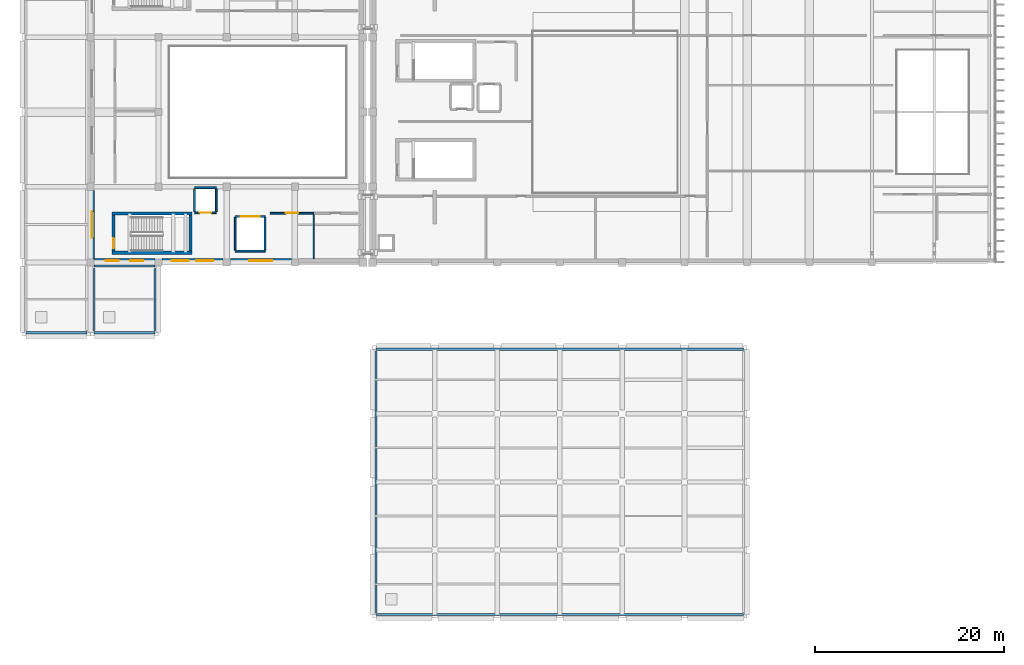
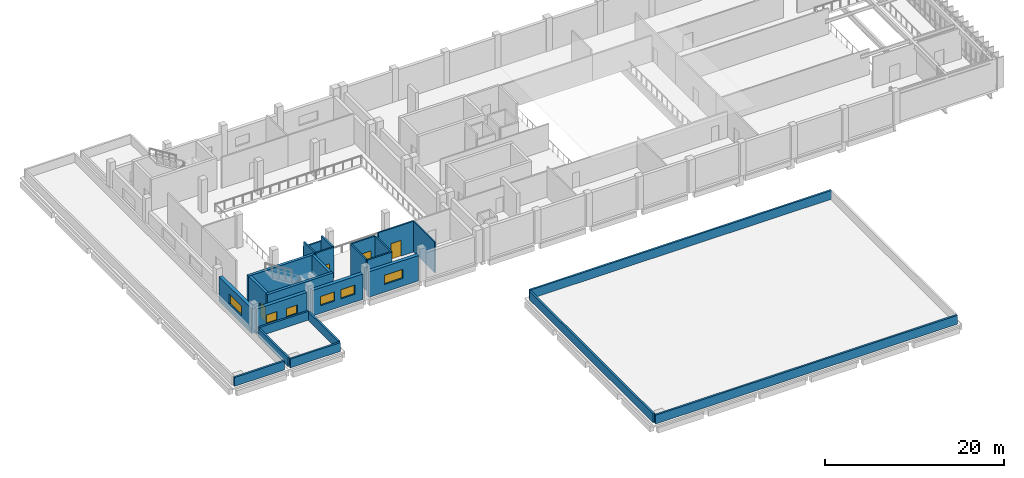
# One storey, part 13 of 23: 26 walls, 6 windows, 4 doors, 10 openings.
"""IFC4 building model written with IfcOpenShell, lengths in metres."""

from ifc_helpers import new_model, si_unit, direction, frame, frame_2d, origin, place, context, subcontext, project, spatial, rectangle, extrude, material, layer, layer_set, type_object, element, fill, save


model = new_model("IFC4")

# Units and contexts
model_context = context("Model", 3, precision=1e-05, world=origin(), true_north=direction((0.0, 1.0)))
body_context = subcontext(model_context, "Body", "Model", "MODEL_VIEW")
ifc_project = project(units=[si_unit("LENGTHUNIT", "METRE"), si_unit("AREAUNIT", "SQUARE_METRE"), si_unit("VOLUMEUNIT", "CUBIC_METRE"), si_unit("PLANEANGLEUNIT", "RADIAN"), si_unit("MASSUNIT", "GRAM", prefix="KILO")], contexts=[model_context])

# Site, building, storey
site_placement = place(None, origin())
site = spatial("IfcSite", under=ifc_project, at=site_placement, CompositionType="ELEMENT")
building_placement = place(site_placement, origin())
building = spatial("IfcBuilding", under=site, at=building_placement, Name="Kelarvand Opera House", CompositionType="ELEMENT")
storey_placement = place(building_placement, frame((0.0, 0.0, 19.5)))
storey = spatial("IfcBuildingStorey", under=building, at=storey_placement, Name="L04", CompositionType="ELEMENT", Elevation=19.5)

# Walls
ifc_material_1 = material(Name="Acoustic double-stud gypsum partition")
ifc_layer_1 = layer(ifc_material_1, 0.14990234375, Name="Acoustic double-stud gypsum partition")
ifc_layer_set_1 = layer_set([ifc_layer_1], Name="Acoustic double-stud gypsum partition")
wall_type_1 = type_object("IfcWallType", Name="Acoustic Room Partition Wall 150", PredefinedType="PARTITIONING", material=ifc_layer_set_1)
wall_1_placement = place(storey_placement, frame((82.800048828125, 47.0, 0.0), z_axis=(0.0, 0.0, 1.0), x_axis=(0.0, 1.0, 0.0)))
element("IfcWall", 1, at=wall_1_placement, inside=storey, type_object=wall_type_1, Name="V2 L04 Partition Wall IW-150 (656)", PredefinedType="PARTITIONING", context=body_context, shape_type="SweptSolid", body=[
    extrude(rectangle(XDim=4.659912109375, YDim=0.14990234375, at=frame_2d((2.330078125, 0.0))), origin(), (0.0, 0.0, 1.0), 4.19189453125),
])
ifc_material_2 = material(Name="Concrete C35/45", Category="concrete")
ifc_layer_2 = layer(ifc_material_2, 0.239990234375, Name="Concrete C35/45", Category="concrete")
ifc_layer_set_2 = layer_set([ifc_layer_2], Name="Concrete C35/45")
wall_type_2 = type_object("IfcWallType", Name="Capped Travertine Roof Parapet 240", PredefinedType="PARAPET", material=ifc_layer_set_2)
wall_2_placement = place(storey_placement, frame((52.3798828125, 39.179931640625, 0.0), z_axis=(0.0, 0.0, 1.0), x_axis=(1.0, 0.0, 0.0)))
element("IfcWall", 2, at=wall_2_placement, inside=storey, type_object=wall_type_2, Name="V2 Roof Parapet 13", PredefinedType="PARAPET", context=body_context, shape_type="SweptSolid", body=[
    extrude(rectangle(XDim=6.440185546875, YDim=0.239990234375, at=frame_2d((3.22021484375, 0.0))), origin(), (0.0, 0.0, 1.0), 1.199951171875),
])
for number, where, z_axis, x_axis, name in (
    (3, (59.580078125, 39.179931640625, 0.0), (0.0, 0.0, 1.0), (1.0, 0.0, 0.0), "V2 Roof Parapet 17"),
    (4, (66.02001953125, 46.219970703125, 0.0), (0.0, 0.0, 1.0), (-1.0, 0.0, 0.0), "V2 Roof Parapet 18"),
):
    element("IfcWall", number, at=place(storey_placement, frame(where, z_axis=z_axis, x_axis=x_axis)), inside=storey, type_object=wall_type_2, Name=name, PredefinedType="PARAPET", context=body_context, shape_type="SweptSolid", body=[
        extrude(rectangle(XDim=6.43994140625, YDim=0.239990234375, at=frame_2d((3.219970703125, 0.0))), origin(), (0.0, 0.0, 1.0), 1.199951171875),
    ])
for number, where, z_axis, x_axis, name in (
    (5, (59.580078125, 45.97998046875, 0.0), (0.0, 0.0, 1.0), (0.0, -1.0, 0.0), "V2 Roof Parapet 19"),
    (6, (66.02001953125, 39.419921875, 0.0), (0.0, 0.0, 1.0), (0.0, 1.0, 0.0), "V2 Roof Parapet 20"),
):
    element("IfcWall", number, at=place(storey_placement, frame(where, z_axis=z_axis, x_axis=x_axis)), inside=storey, type_object=wall_type_2, Name=name, PredefinedType="PARAPET", context=body_context, shape_type="SweptSolid", body=[
        extrude(rectangle(XDim=6.56005859375, YDim=0.239990234375, at=frame_2d((3.280029296875, 0.0))), origin(), (0.0, 0.0, 1.0), 1.199951171875),
    ])
for number, where, z_axis, x_axis, name in (
    (7, (89.3798828125, 9.3798828125, 0.0), (0.0, 0.0, 1.0), (1.0, 0.0, 0.0), "V6 Roof Parapet 45"),
    (8, (128.219970703125, 37.419921875, 0.0), (0.0, 0.0, 1.0), (-1.0, 0.0, 0.0), "V6 Roof Parapet 46"),
):
    element("IfcWall", number, at=place(storey_placement, frame(where, z_axis=z_axis, x_axis=x_axis)), inside=storey, type_object=wall_type_2, Name=name, PredefinedType="PARAPET", context=body_context, shape_type="SweptSolid", body=[
        extrude(rectangle(XDim=38.840087890625, YDim=0.239990234375, at=frame_2d((19.419921875, 0.0))), origin(), (0.0, 0.0, 1.0), 1.199951171875),
    ])
wall_3_placement = place(storey_placement, frame((89.3798828125, 37.179931640625, 0.0), z_axis=(0.0, 0.0, 1.0), x_axis=(0.0, -1.0, 0.0)))
element("IfcWall", 9, at=wall_3_placement, inside=storey, type_object=wall_type_2, Name="V6 Roof Parapet 47", PredefinedType="PARAPET", context=body_context, shape_type="SweptSolid", body=[
    extrude(rectangle(XDim=27.559814453125, YDim=0.239990234375, at=frame_2d((13.77978515625, 0.0))), origin(), (0.0, 0.0, 1.0), 1.199951171875),
])
ifc_material_3 = material(Name="Concrete C40/50", Category="concrete")
ifc_layer_3 = layer(ifc_material_3, 0.35009765625, Name="Concrete C40/50", Category="concrete")
ifc_layer_set_3 = layer_set([ifc_layer_3], Name="Concrete C40/50")
wall_type_3 = type_object("IfcWallType", Name="Core Stair and Lift Shear Wall 350", PredefinedType="SHEAR", material=ifc_layer_set_3)
for number, where, z_axis, x_axis, name in (
    (10, (61.449951171875, 47.625, 0.0), (0.0, 0.0, 1.0), (1.0, 0.0, 0.0), "C2 Stair Core Shear Wall S L04"),
    (11, (69.949951171875, 51.77490234375, 0.0), (0.0, 0.0, 1.0), (-1.0, 0.0, 0.0), "C2 Stair Core Shear Wall N L04"),
):
    element("IfcWall", number, at=place(storey_placement, frame(where, z_axis=z_axis, x_axis=x_axis)), inside=storey, type_object=wall_type_3, Name=name, PredefinedType="SHEAR", context=body_context, shape_type="SweptSolid", body=[
        extrude(rectangle(XDim=8.5, YDim=0.35009765625, at=frame_2d((4.25, 0.0))), origin(), (0.0, 0.0, 1.0), 4.219970703125),
    ])

# Wall, opening, door
wall_4_placement = place(storey_placement, frame((61.625, 47.800048828125, 0.0), z_axis=(0.0, 0.0, 1.0), x_axis=(0.0, 1.0, 0.0)))
wall_4 = element("IfcWall", 12, at=wall_4_placement, inside=storey, type_object=wall_type_3, Name="C2 Stair Core Shear Wall W L04", PredefinedType="SHEAR", context=body_context, shape_type="SweptSolid", body=[
    extrude(rectangle(XDim=3.800048828125, YDim=0.35009765625, at=frame_2d((1.89990234375, 0.0))), origin(), (0.0, 0.0, 1.0), 4.219970703125),
])
opening_1_placement = place(wall_4_placement, frame((0.280029296875, 0.0, 0.0)))
opening_1 = element("IfcOpeningElement", 13, at=opening_1_placement, cuts=wall_4, Name="Opening FD-01", PredefinedType="OPENING", context=body_context, shape_type="SweptSolid", body=[
    extrude(rectangle(XDim=1.10009765625, YDim=2.080078125, at=frame_2d((0.550048828125, 1.0400390625))), frame((0.0, 0.18505859375, 0.0), z_axis=(0.0, -1.0, 0.0), x_axis=(1.0, 0.0, 0.0)), (0.0, 0.0, 1.0), 0.3701171875),
])
ifc_material_4 = material(Name="Fire-rated brushed stainless steel", Category="steel")
door_type_1 = type_object("IfcDoorType", Name="Steel Fire-Rated Stair and FF Lobby Door 1100x2080", OperationType="NOTDEFINED", PredefinedType="DOOR", material=ifc_material_4)
door_1_placement = place(opening_1_placement, origin())
door_1 = element("IfcDoor", 14, at=door_1_placement, inside=storey, type_object=door_type_1, Name="C2 Stair ST-02 Fire Door L04", OperationType="SINGLE_SWING_LEFT", OverallHeight=2.080078125, OverallWidth=1.10009765625, PredefinedType="DOOR", context=body_context, shape_type="SweptSolid", body=[
    extrude(rectangle(XDim=1.10009765625, YDim=2.080078125, at=frame_2d((0.550048828125, 1.0400390625))), frame((0.0, 0.02490234375, 0.0), z_axis=(0.0, -1.0, 0.0), x_axis=(1.0, 0.0, 0.0)), (0.0, 0.0, 1.0), 0.050048828125),
])
fill(opening_1, door_1)

# Wall
wall_5_placement = place(storey_placement, frame((69.77490234375, 51.60009765625, 0.0), z_axis=(0.0, 0.0, 1.0), x_axis=(0.0, -1.0, 0.0)))
element("IfcWall", 15, at=wall_5_placement, inside=storey, type_object=wall_type_3, Name="C2 Stair Core Shear Wall E L04", PredefinedType="SHEAR", context=body_context, shape_type="SweptSolid", body=[
    extrude(rectangle(XDim=3.800048828125, YDim=0.35009765625, at=frame_2d((1.89990234375, 0.0))), origin(), (0.0, 0.0, 1.0), 4.219970703125),
])

# Wall, opening, door
ifc_layer_4 = layer(ifc_material_2, 0.179931640625, Name="Concrete C35/45", Category="concrete")
ifc_layer_set_4 = layer_set([ifc_layer_4], Name="Concrete C35/45")
wall_type_4 = type_object("IfcWallType", Name="Corridor Fire-Rated Partition Wall 180 EI90", PredefinedType="PARTITIONING", material=ifc_layer_set_4)
wall_6_placement = place(storey_placement, frame((78.199951171875, 51.800048828125, 0.0), z_axis=(0.0, 0.0, 1.0), x_axis=(1.0, 0.0, 0.0)))
wall_6 = element("IfcWall", 16, at=wall_6_placement, inside=storey, type_object=wall_type_4, Name="V2 L04 Partition Wall IW-90 (655)", PredefinedType="PARTITIONING", context=body_context, shape_type="SweptSolid", body=[
    extrude(rectangle(XDim=4.60009765625, YDim=0.179931640625, at=frame_2d((2.300048828125, 0.0))), origin(), (0.0, 0.0, 1.0), 4.19189453125),
])
opening_2_placement = place(wall_6_placement, frame((1.659912109375, 0.0, 0.0)))
opening_2 = element("IfcOpeningElement", 17, at=opening_2_placement, cuts=wall_6, Name="Opening D-11", PredefinedType="OPENING", context=body_context, shape_type="SweptSolid", body=[
    extrude(rectangle(XDim=1.280029296875, YDim=2.139892578125, at=frame_2d((0.64013671875, 1.06982421875))), frame((0.0, 0.10009765625, 0.0), z_axis=(0.0, -1.0, 0.0), x_axis=(1.0, 0.0, 0.0)), (0.0, 0.0, 1.0), 0.199951171875),
])
ifc_material_5 = material(Name="Acoustic walnut-veneered hardwood", Category="wood")
door_type_2 = type_object("IfcDoorType", Name="Instrument Store Leaf-and-Half Door 1280x2140", OperationType="NOTDEFINED", PredefinedType="DOOR", material=ifc_material_5)
door_2_placement = place(opening_2_placement, origin())
door_2 = element("IfcDoor", 18, at=door_2_placement, inside=storey, type_object=door_type_2, Name="V2 L04 Door D-11 (295)", OperationType="SINGLE_SWING_LEFT", OverallHeight=2.139892578125, OverallWidth=1.280029296875, PredefinedType="DOOR", context=body_context, shape_type="SweptSolid", body=[
    extrude(rectangle(XDim=1.280029296875, YDim=2.139892578125, at=frame_2d((0.64013671875, 1.06982421875))), frame((0.0, 0.02490234375, 0.0), z_axis=(0.0, -1.0, 0.0), x_axis=(1.0, 0.0, 0.0)), (0.0, 0.0, 1.0), 0.050048828125),
])
fill(opening_2, door_2)

ifc_layer_5 = layer(ifc_material_2, 0.199951171875, Name="Concrete C35/45", Category="concrete")
ifc_layer_set_5 = layer_set([ifc_layer_5], Name="Concrete C35/45")
wall_type_5 = type_object("IfcWallType", Name="Lift and Riser Shaft Enclosure Wall 200 EI120", PredefinedType="PARTITIONING", material=ifc_layer_set_5)
wall_7_placement = place(storey_placement, frame((70.199951171875, 51.85009765625, 0.0), z_axis=(0.0, 0.0, 1.0), x_axis=(1.0, 0.0, 0.0)))
wall_7 = element("IfcWall", 19, at=wall_7_placement, inside=storey, type_object=wall_type_5, Name="V2 L04 Partition Wall SW-200 (623)", PredefinedType="PARTITIONING", context=body_context, shape_type="SweptSolid", body=[
    extrude(rectangle(XDim=2.300048828125, YDim=0.199951171875, at=frame_2d((1.14990234375, 0.0))), origin(), (0.0, 0.0, 1.0), 4.19189453125),
])
opening_3_placement = place(wall_7_placement, frame((0.550048828125, 0.0, 0.0)))
opening_3 = element("IfcOpeningElement", 20, at=opening_3_placement, cuts=wall_7, Name="Opening LD-02", PredefinedType="OPENING", context=body_context, shape_type="SweptSolid", body=[
    extrude(rectangle(XDim=1.199951171875, YDim=2.14990234375, at=frame_2d((0.60009765625, 1.074951171875))), frame((0.0, 0.10986328125, 0.0), z_axis=(0.0, -1.0, 0.0), x_axis=(1.0, 0.0, 0.0)), (0.0, 0.0, 1.0), 0.219970703125),
])
door_type_3 = type_object("IfcDoorType", Name="Firefighting Lift Sliding Landing Door 1200x2150", OperationType="SLIDING_TO_LEFT", PredefinedType="DOOR", material=ifc_material_4)
door_3_placement = place(opening_3_placement, origin())
door_3 = element("IfcDoor", 21, at=door_3_placement, inside=storey, type_object=door_type_3, Name="V2 L04 Door LD-02 (279)", OperationType="SLIDING_TO_LEFT", OverallHeight=2.14990234375, OverallWidth=1.199951171875, PredefinedType="DOOR", context=body_context, shape_type="SweptSolid", body=[
    extrude(rectangle(XDim=1.199951171875, YDim=2.14990234375, at=frame_2d((0.60009765625, 1.074951171875))), frame((0.0, 0.02490234375, 0.0), z_axis=(0.0, -1.0, 0.0), x_axis=(1.0, 0.0, 0.0)), (0.0, 0.0, 1.0), 0.050048828125),
])
fill(opening_3, door_3)

# Walls
wall_8_placement = place(storey_placement, frame((72.5, 54.5, 0.0), z_axis=(0.0, 0.0, 1.0), x_axis=(-1.0, 0.0, 0.0)))
element("IfcWall", 22, at=wall_8_placement, inside=storey, type_object=wall_type_5, Name="V2 L04 Partition Wall SW-200 (624)", PredefinedType="PARTITIONING", context=body_context, shape_type="SweptSolid", body=[
    extrude(rectangle(XDim=2.300048828125, YDim=0.199951171875, at=frame_2d((1.14990234375, 0.0))), origin(), (0.0, 0.0, 1.0), 3.4619140625),
])
for number, where, z_axis, x_axis, name in (
    (23, (70.199951171875, 51.949951171875, 0.0), (0.0, 0.0, 1.0), (0.0, 1.0, 0.0), "V2 L04 Partition Wall SW-200 (625)"),
    (24, (72.5, 54.39990234375, 0.0), (0.0, 0.0, 1.0), (0.0, -1.0, 0.0), "V2 L04 Partition Wall SW-200 (626)"),
):
    element("IfcWall", number, at=place(storey_placement, frame(where, z_axis=z_axis, x_axis=x_axis)), inside=storey, type_object=wall_type_5, Name=name, PredefinedType="PARTITIONING", context=body_context, shape_type="SweptSolid", body=[
        extrude(rectangle(XDim=2.449951171875, YDim=0.199951171875, at=frame_2d((1.22509765625, 0.0))), origin(), (0.0, 0.0, 1.0), 4.19189453125),
    ])
wall_9_placement = place(storey_placement, frame((74.5, 47.800048828125, 0.0), z_axis=(0.0, 0.0, 1.0), x_axis=(1.0, 0.0, 0.0)))
element("IfcWall", 25, at=wall_9_placement, inside=storey, type_object=wall_type_5, Name="V2 L04 Partition Wall SW-200 (627)", PredefinedType="PARTITIONING", context=body_context, shape_type="SweptSolid", body=[
    extrude(rectangle(XDim=3.14990234375, YDim=0.199951171875, at=frame_2d((1.574951171875, 0.0))), origin(), (0.0, 0.0, 1.0), 4.19189453125),
])

# Wall, opening, door
wall_10_placement = place(storey_placement, frame((77.64990234375, 51.449951171875, 0.0), z_axis=(0.0, 0.0, 1.0), x_axis=(-1.0, 0.0, 0.0)))
wall_10 = element("IfcWall", 26, at=wall_10_placement, inside=storey, type_object=wall_type_5, Name="V2 L04 Partition Wall SW-200 (628)", PredefinedType="PARTITIONING", context=body_context, shape_type="SweptSolid", body=[
    extrude(rectangle(XDim=3.14990234375, YDim=0.199951171875, at=frame_2d((1.574951171875, 0.0))), origin(), (0.0, 0.0, 1.0), 4.19189453125),
])
opening_4_placement = place(wall_10_placement, frame((0.574951171875, 0.0, 0.0)))
opening_4 = element("IfcOpeningElement", 27, at=opening_4_placement, cuts=wall_10, Name="Opening LD-03", PredefinedType="OPENING", context=body_context, shape_type="SweptSolid", body=[
    extrude(rectangle(XDim=2.0, YDim=2.35009765625, at=frame_2d((1.0, 1.175048828125))), frame((0.0, 0.10986328125, 0.0), z_axis=(0.0, -1.0, 0.0), x_axis=(1.0, 0.0, 0.0)), (0.0, 0.0, 1.0), 0.219970703125),
])
door_type_4 = type_object("IfcDoorType", Name="Scenery Goods Lift Sliding Landing Door 2000x2350", OperationType="SLIDING_TO_LEFT", PredefinedType="DOOR", material=ifc_material_4)
door_4_placement = place(opening_4_placement, origin())
door_4 = element("IfcDoor", 28, at=door_4_placement, inside=storey, type_object=door_type_4, Name="V2 L04 Door LD-03 (280)", OperationType="SLIDING_TO_LEFT", OverallHeight=2.35009765625, OverallWidth=2.0, PredefinedType="DOOR", context=body_context, shape_type="SweptSolid", body=[
    extrude(rectangle(XDim=2.0, YDim=2.35009765625, at=frame_2d((1.0, 1.175048828125))), frame((0.0, 0.02490234375, 0.0), z_axis=(0.0, -1.0, 0.0), x_axis=(1.0, 0.0, 0.0)), (0.0, 0.0, 1.0), 0.050048828125),
])
fill(opening_4, door_4)

# Walls
for number, where, z_axis, x_axis, name in (
    (29, (74.5, 47.89990234375, 0.0), (0.0, 0.0, 1.0), (0.0, 1.0, 0.0), "V2 L04 Partition Wall SW-200 (629)"),
    (30, (77.64990234375, 51.35009765625, 0.0), (0.0, 0.0, 1.0), (0.0, -1.0, 0.0), "V2 L04 Partition Wall SW-200 (630)"),
):
    element("IfcWall", number, at=place(storey_placement, frame(where, z_axis=z_axis, x_axis=x_axis)), inside=storey, type_object=wall_type_5, Name=name, PredefinedType="PARTITIONING", context=body_context, shape_type="SweptSolid", body=[
        extrude(rectangle(XDim=3.4501953125, YDim=0.199951171875, at=frame_2d((1.72509765625, 0.0))), origin(), (0.0, 0.0, 1.0), 4.19189453125),
    ])

# Wall, opening, window
ifc_layer_6 = layer(ifc_material_2, 0.43994140625, Name="Concrete C35/45", Category="concrete")
ifc_layer_set_6 = layer_set([ifc_layer_6], Name="Concrete C35/45")
wall_type_6 = type_object("IfcWallType", Name="Stage House Acoustic Cavity Wall 440", PredefinedType="SOLIDWALL", material=ifc_layer_set_6)
wall_11_placement = place(storey_placement, frame((59.3798828125, 46.97509765625, 0.0), z_axis=(0.0, 0.0, 1.0), x_axis=(0.0, 1.0, 0.0)))
wall_11 = element("IfcWall", 31, at=wall_11_placement, inside=storey, type_object=wall_type_6, Name="V2 L04 Exterior Wall EW-440 (310)", PredefinedType="SOLIDWALL", context=body_context, shape_type="SweptSolid", body=[
    extrude(rectangle(XDim=7.25, YDim=0.43994140625, at=frame_2d((3.625, 0.0))), origin(), (0.0, 0.0, 1.0), 3.362060546875),
])
opening_5_placement = place(wall_11_placement, frame((2.22509765625, 0.0, 1.050048828125)))
opening_5 = element("IfcOpeningElement", 32, at=opening_5_placement, cuts=wall_11, Name="Opening WN-21", PredefinedType="OPENING", context=body_context, shape_type="SweptSolid", body=[
    extrude(rectangle(XDim=2.800048828125, YDim=1.35009765625, at=frame_2d((1.39990234375, 0.675048828125))), frame((0.0, 0.22998046875, 0.0), z_axis=(0.0, -1.0, 0.0), x_axis=(1.0, 0.0, 0.0)), (0.0, 0.0, 1.0), 0.4599609375),
])
ifc_material_6 = material(Name="Thermally broken aluminium and low-E double glazing", Category="aluminium")
window_type_1 = type_object("IfcWindowType", Name="Recessed Aluminium Thermal Window 2800x1350 WN-21", PartitioningType="SINGLE_PANEL", PredefinedType="WINDOW", material=ifc_material_6)
window_1_placement = place(opening_5_placement, origin())
window_1 = element("IfcWindow", 33, at=window_1_placement, inside=storey, type_object=window_type_1, Name="V2 L04 Facade Window WN-21 (95)", OverallHeight=1.35009765625, OverallWidth=2.800048828125, PartitioningType="SINGLE_PANEL", PredefinedType="WINDOW", context=body_context, shape_type="SweptSolid", body=[
    extrude(rectangle(XDim=2.800048828125, YDim=1.35009765625, at=frame_2d((1.39990234375, 0.675048828125))), frame((0.0, 0.030029296875, 0.0), z_axis=(0.0, -1.0, 0.0), x_axis=(1.0, 0.0, 0.0)), (0.0, 0.0, 1.0), 0.06005859375),
])
fill(opening_5, window_1)

wall_12_placement = place(storey_placement, frame((80.425048828125, 46.780029296875, 0.0), z_axis=(0.0, 0.0, 1.0), x_axis=(-1.0, 0.0, 0.0)))
wall_12 = element("IfcWall", 34, at=wall_12_placement, inside=storey, type_object=wall_type_6, Name="V2 L04 Exterior Wall EW-440 (314)", PredefinedType="SOLIDWALL", context=body_context, shape_type="SweptSolid", body=[
    extrude(rectangle(XDim=6.449951171875, YDim=0.43994140625, at=frame_2d((3.22509765625, 0.0))), origin(), (0.0, 0.0, 1.0), 3.4619140625),
])
opening_6_placement = place(wall_12_placement, frame((2.02490234375, 0.0, 1.050048828125)))
opening_6 = element("IfcOpeningElement", 35, at=opening_6_placement, cuts=wall_12, Name="Opening WN-22", PredefinedType="OPENING", context=body_context, shape_type="SweptSolid", body=[
    extrude(rectangle(XDim=2.39990234375, YDim=1.25, at=frame_2d((1.199951171875, 0.625))), frame((0.0, 0.22998046875, 0.0), z_axis=(0.0, -1.0, 0.0), x_axis=(1.0, 0.0, 0.0)), (0.0, 0.0, 1.0), 0.4599609375),
])
window_type_2 = type_object("IfcWindowType", Name="Recessed Aluminium Thermal Window 2400x1250 WN-22", PartitioningType="SINGLE_PANEL", PredefinedType="WINDOW", material=ifc_material_6)
window_2_placement = place(opening_6_placement, origin())
window_2 = element("IfcWindow", 36, at=window_2_placement, inside=storey, type_object=window_type_2, Name="V2 L04 Facade Window WN-22 (99)", OverallHeight=1.25, OverallWidth=2.39990234375, PartitioningType="SINGLE_PANEL", PredefinedType="WINDOW", context=body_context, shape_type="SweptSolid", body=[
    extrude(rectangle(XDim=2.39990234375, YDim=1.25, at=frame_2d((1.199951171875, 0.625))), frame((0.0, 0.030029296875, 0.0), z_axis=(0.0, -1.0, 0.0), x_axis=(1.0, 0.0, 0.0)), (0.0, 0.0, 1.0), 0.06005859375),
])
fill(opening_6, window_2)

# Wall, openings, windows
wall_13_placement = place(storey_placement, frame((73.22509765625, 46.780029296875, 0.0), z_axis=(0.0, 0.0, 1.0), x_axis=(-1.0, 0.0, 0.0)))
wall_13 = element("IfcWall", 37, at=wall_13_placement, inside=storey, type_object=wall_type_6, Name="V2 L04 Exterior Wall EW-440 (315)", PredefinedType="SOLIDWALL", context=body_context, shape_type="SweptSolid", body=[
    extrude(rectangle(XDim=6.4501953125, YDim=0.43994140625, at=frame_2d((3.22509765625, 0.0))), origin(), (0.0, 0.0, 1.0), 3.4619140625),
])
opening_7_placement = place(wall_13_placement, frame((1.034912109375, 0.0, 1.050048828125)))
opening_7 = element("IfcOpeningElement", 38, at=opening_7_placement, cuts=wall_13, Name="Opening WN-23", PredefinedType="OPENING", context=body_context, shape_type="SweptSolid", body=[
    extrude(rectangle(XDim=1.800048828125, YDim=1.25, at=frame_2d((0.89990234375, 0.625))), frame((0.0, 0.22998046875, 0.0), z_axis=(0.0, -1.0, 0.0), x_axis=(1.0, 0.0, 0.0)), (0.0, 0.0, 1.0), 0.4599609375),
])
opening_8_placement = place(wall_13_placement, frame((3.614990234375, 0.0, 1.050048828125)))
opening_8 = element("IfcOpeningElement", 39, at=opening_8_placement, cuts=wall_13, Name="Opening WN-23", PredefinedType="OPENING", context=body_context, shape_type="SweptSolid", body=[
    extrude(rectangle(XDim=1.800048828125, YDim=1.25, at=frame_2d((0.89990234375, 0.625))), frame((0.0, 0.22998046875, 0.0), z_axis=(0.0, -1.0, 0.0), x_axis=(1.0, 0.0, 0.0)), (0.0, 0.0, 1.0), 0.4599609375),
])
window_type_3 = type_object("IfcWindowType", Name="Recessed Aluminium Thermal Window 1800x1250 WN-23", PartitioningType="SINGLE_PANEL", PredefinedType="WINDOW", material=ifc_material_6)
window_3_placement = place(opening_7_placement, origin())
window_3 = element("IfcWindow", 40, at=window_3_placement, inside=storey, type_object=window_type_3, Name="V2 L04 Facade Window WN-23 (100)", OverallHeight=1.25, OverallWidth=1.800048828125, PartitioningType="SINGLE_PANEL", PredefinedType="WINDOW", context=body_context, shape_type="SweptSolid", body=[
    extrude(rectangle(XDim=1.800048828125, YDim=1.25, at=frame_2d((0.89990234375, 0.625))), frame((0.0, 0.030029296875, 0.0), z_axis=(0.0, -1.0, 0.0), x_axis=(1.0, 0.0, 0.0)), (0.0, 0.0, 1.0), 0.06005859375),
])
fill(opening_7, window_3)
window_4_placement = place(opening_8_placement, origin())
window_4 = element("IfcWindow", 41, at=window_4_placement, inside=storey, type_object=window_type_3, Name="V2 L04 Facade Window WN-23 (101)", OverallHeight=1.25, OverallWidth=1.800048828125, PartitioningType="SINGLE_PANEL", PredefinedType="WINDOW", context=body_context, shape_type="SweptSolid", body=[
    extrude(rectangle(XDim=1.800048828125, YDim=1.25, at=frame_2d((0.89990234375, 0.625))), frame((0.0, 0.030029296875, 0.0), z_axis=(0.0, -1.0, 0.0), x_axis=(1.0, 0.0, 0.0)), (0.0, 0.0, 1.0), 0.06005859375),
])
fill(opening_8, window_4)

wall_14_placement = place(storey_placement, frame((66.02490234375, 46.780029296875, 0.0), z_axis=(0.0, 0.0, 1.0), x_axis=(-1.0, 0.0, 0.0)))
wall_14 = element("IfcWall", 42, at=wall_14_placement, inside=storey, type_object=wall_type_6, Name="V2 L04 Exterior Wall EW-440 (316)", PredefinedType="SOLIDWALL", context=body_context, shape_type="SweptSolid", body=[
    extrude(rectangle(XDim=6.449951171875, YDim=0.43994140625, at=frame_2d((3.22509765625, 0.0))), origin(), (0.0, 0.0, 1.0), 3.4619140625),
])
opening_9_placement = place(wall_14_placement, frame((1.235107421875, 0.0, 1.0)))
opening_9 = element("IfcOpeningElement", 43, at=opening_9_placement, cuts=wall_14, Name="Opening WN-24", PredefinedType="OPENING", context=body_context, shape_type="SweptSolid", body=[
    extrude(rectangle(XDim=1.39990234375, YDim=1.199951171875, at=frame_2d((0.699951171875, 0.60009765625))), frame((0.0, 0.22998046875, 0.0), z_axis=(0.0, -1.0, 0.0), x_axis=(1.0, 0.0, 0.0)), (0.0, 0.0, 1.0), 0.4599609375),
])
opening_10_placement = place(wall_14_placement, frame((3.81494140625, 0.0, 1.0)))
opening_10 = element("IfcOpeningElement", 44, at=opening_10_placement, cuts=wall_14, Name="Opening WN-24", PredefinedType="OPENING", context=body_context, shape_type="SweptSolid", body=[
    extrude(rectangle(XDim=1.39990234375, YDim=1.199951171875, at=frame_2d((0.699951171875, 0.60009765625))), frame((0.0, 0.22998046875, 0.0), z_axis=(0.0, -1.0, 0.0), x_axis=(1.0, 0.0, 0.0)), (0.0, 0.0, 1.0), 0.4599609375),
])
window_type_4 = type_object("IfcWindowType", Name="Recessed Aluminium Thermal Window 1400x1200 WN-24", PartitioningType="SINGLE_PANEL", PredefinedType="WINDOW", material=ifc_material_6)
window_5_placement = place(opening_9_placement, origin())
window_5 = element("IfcWindow", 45, at=window_5_placement, inside=storey, type_object=window_type_4, Name="V2 L04 Facade Window WN-24 (102)", OverallHeight=1.199951171875, OverallWidth=1.39990234375, PartitioningType="SINGLE_PANEL", PredefinedType="WINDOW", context=body_context, shape_type="SweptSolid", body=[
    extrude(rectangle(XDim=1.39990234375, YDim=1.199951171875, at=frame_2d((0.699951171875, 0.60009765625))), frame((0.0, 0.030029296875, 0.0), z_axis=(0.0, -1.0, 0.0), x_axis=(1.0, 0.0, 0.0)), (0.0, 0.0, 1.0), 0.06005859375),
])
fill(opening_9, window_5)
window_6_placement = place(opening_10_placement, origin())
window_6 = element("IfcWindow", 46, at=window_6_placement, inside=storey, type_object=window_type_4, Name="V2 L04 Facade Window WN-24 (103)", OverallHeight=1.199951171875, OverallWidth=1.39990234375, PartitioningType="SINGLE_PANEL", PredefinedType="WINDOW", context=body_context, shape_type="SweptSolid", body=[
    extrude(rectangle(XDim=1.39990234375, YDim=1.199951171875, at=frame_2d((0.699951171875, 0.60009765625))), frame((0.0, 0.030029296875, 0.0), z_axis=(0.0, -1.0, 0.0), x_axis=(1.0, 0.0, 0.0)), (0.0, 0.0, 1.0), 0.06005859375),
])
fill(opening_10, window_6)

save(model, "model.ifc")
